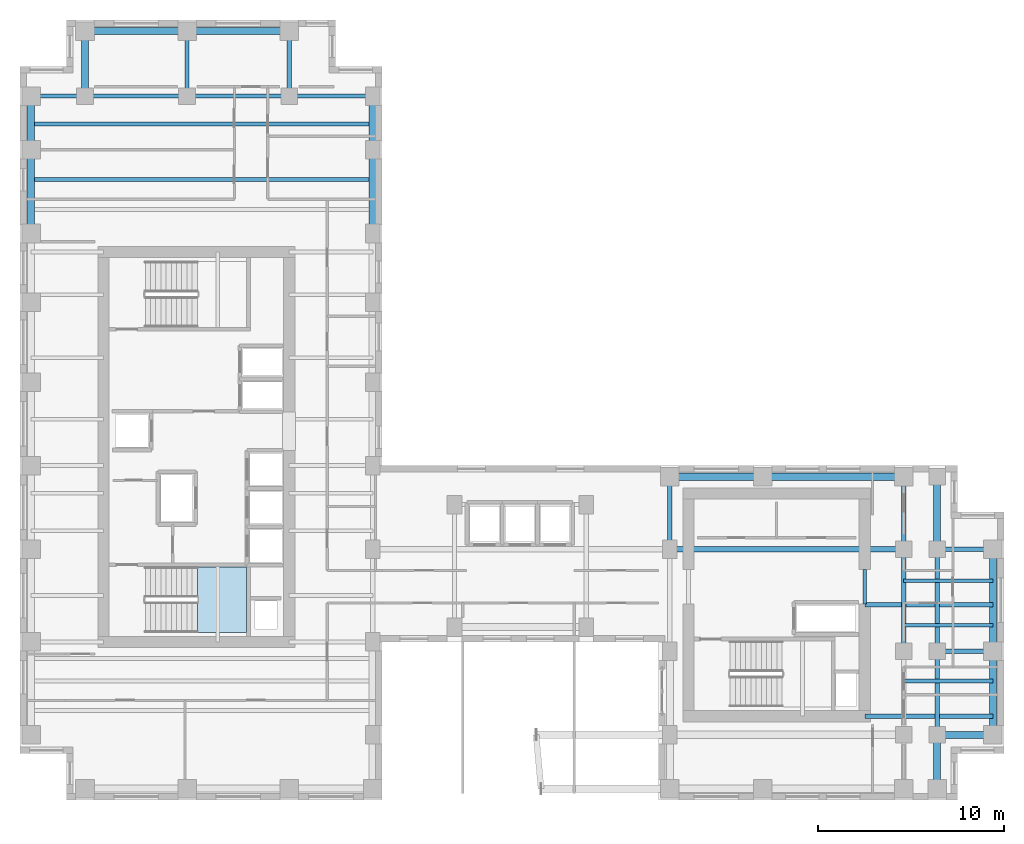
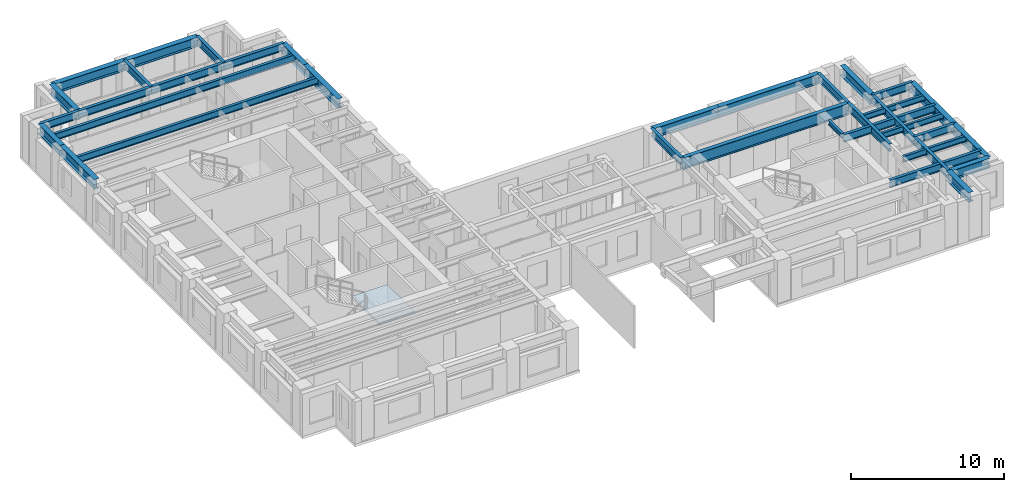
# One storey, part 3 of 13: 36 beams, 1 slab, 1 element without a shape of its own.
"""IFC4 building model written with IfcOpenShell, lengths in metres."""

from ifc_helpers import new_model, si_unit, direction, frame, origin, origin_2d, place, context, subcontext, project, spatial, polyline, i_section, outline, extrude, source, transform, mapped, material, layer, layer_set, material_profile, profile_set, type_object, element, aggregate, save


model = new_model("IFC4")

# Units and contexts
model_context = context("Model", 3, precision=1e-05, world=origin(), true_north=direction((0.0, 1.0)))
body_context = subcontext(model_context, "Body", "Model", "MODEL_VIEW")
ifc_project = project(units=[si_unit("LENGTHUNIT", "METRE"), si_unit("AREAUNIT", "SQUARE_METRE"), si_unit("VOLUMEUNIT", "CUBIC_METRE"), si_unit("PLANEANGLEUNIT", "RADIAN"), si_unit("MASSUNIT", "GRAM", prefix="KILO")], contexts=[model_context])

# Site, building, storey
site_placement = place(None, origin())
site = spatial("IfcSite", under=ifc_project, at=site_placement, CompositionType="ELEMENT")
building_placement = place(site_placement, origin())
building = spatial("IfcBuilding", under=site, at=building_placement, Name="Kharzan Plaza Tower", CompositionType="ELEMENT")
storey_placement = place(building_placement, frame((0.0, 0.0, 161.10009765625)))
storey = spatial("IfcBuildingStorey", under=building, at=storey_placement, Name="L43", CompositionType="ELEMENT", Elevation=161.10009765625)

# Beams
ifc_material_1 = material(Name="Steel S355", Category="steel")
ifc_material_profile_1 = material_profile(ifc_material_1, i_section(OverallWidth=0.205078125, OverallDepth=0.35400390625, WebThickness=0.009521484375, FlangeThickness=0.016845703125, at=origin_2d()), Name="W360x79")
ifc_profile_set_1 = profile_set([ifc_material_profile_1], Name="Steel S355")
beam_type_1 = type_object("IfcBeamType", Name="BM-LNT360", PredefinedType="LINTEL", material=ifc_profile_set_1)
shared_shape_1 = source(origin(), body_context, "Body", "SweptSolid", [
    extrude(i_section(OverallWidth=0.205078125, OverallDepth=0.35400390625, WebThickness=0.009521484375, FlangeThickness=0.016845703125, at=origin_2d()), origin(), (0.0, 0.0, 1.0), 1.849853515625),
])
beam_1_placement = place(storey_placement, frame((45.5, 10.550048828125, 3.222900390625), z_axis=(0.0, 1.0, 0.0), x_axis=(-1.0, 0.0, 0.0)))
element("IfcBeam", 1, at=beam_1_placement, inside=storey, type_object=beam_type_1, Name="L43 CORE-B coupling lintel LN1-WE", PredefinedType="LINTEL", context=body_context, shape_type="MappedRepresentation", body=[
    mapped(shared_shape_1, transform((0.0, 0.0, 0.0), x_axis=(1.0, 0.0, 0.0), y_axis=(0.0, 1.0, 0.0), z_axis=(0.0, 0.0, 1.0))),
])
ifc_material_profile_2 = material_profile(ifc_material_1, i_section(OverallWidth=0.304931640625, OverallDepth=0.9189453125, WebThickness=0.017333984375, FlangeThickness=0.02783203125, at=origin_2d()), Name="W920x253")
ifc_profile_set_2 = profile_set([ifc_material_profile_2], Name="Steel S355")
beam_type_2 = type_object("IfcBeamType", Name="BM-FG920B", PredefinedType="BEAM", material=ifc_profile_set_2)
shared_shape_2 = source(origin(), body_context, "Body", "SweptSolid", [
    extrude(i_section(OverallWidth=0.304931640625, OverallDepth=0.9189453125, WebThickness=0.017333984375, FlangeThickness=0.02783203125, at=origin_2d()), origin(), (0.0, 0.0, 1.0), 12.60009765625),
])
beam_2_placement = place(storey_placement, frame((35.0, 13.5, 2.9404296875), z_axis=(1.0, 0.0, 0.0), x_axis=(0.0, 1.0, 0.0)))
element("IfcBeam", 2, at=beam_2_placement, inside=storey, type_object=beam_type_2, Name="L43 Primary Floor Girder", PredefinedType="BEAM", context=body_context, shape_type="MappedRepresentation", body=[
    mapped(shared_shape_2, transform((0.0, 0.0, 0.0), x_axis=(1.0, 0.0, 0.0), y_axis=(0.0, 1.0, 0.0), z_axis=(0.0, 0.0, 1.0))),
])
ifc_material_profile_3 = material_profile(ifc_material_1, i_section(OverallWidth=0.2099609375, OverallDepth=0.537109375, WebThickness=0.010986328125, FlangeThickness=0.017333984375, at=origin_2d()), Name="W530x101")
ifc_profile_set_3 = profile_set([ifc_material_profile_3], Name="Steel S355")
beam_type_3 = type_object("IfcBeamType", Name="BM-JST530B", PredefinedType="JOIST", material=ifc_profile_set_3)
shared_shape_3 = source(origin(), body_context, "Body", "SweptSolid", [
    extrude(i_section(OverallWidth=0.2099609375, OverallDepth=0.537109375, WebThickness=0.010986328125, FlangeThickness=0.017333984375, at=origin_2d()), origin(), (0.0, 0.0, 1.0), 18.39990234375),
])
for number, where, z_axis, x_axis, name in (
    (3, (0.60009765625, 33.39990234375, 3.13134765625), (1.0, 0.0, 0.0), (0.0, 1.0, 0.0), "L43 Wing A Composite Joist 05"),
    (4, (0.60009765625, 36.39990234375, 3.13134765625), (1.0, 0.0, 0.0), (0.0, 1.0, 0.0), "L43 Wing A Composite Joist 06"),
):
    element("IfcBeam", number, at=place(storey_placement, frame(where, z_axis=z_axis, x_axis=x_axis)), inside=storey, type_object=beam_type_3, Name=name, PredefinedType="JOIST", context=body_context, shape_type="MappedRepresentation", body=[
        mapped(shared_shape_3, transform((0.0, 0.0, 0.0), x_axis=(1.0, 0.0, 0.0), y_axis=(0.0, 1.0, 0.0), z_axis=(0.0, 0.0, 1.0))),
    ])
ifc_material_profile_4 = material_profile(ifc_material_1, i_section(OverallWidth=0.22900390625, OverallDepth=0.612060546875, WebThickness=0.011962890625, FlangeThickness=0.01953125, at=origin_2d()), Name="W610x125")
ifc_profile_set_4 = profile_set([ifc_material_profile_4], Name="Steel S355")
beam_type_4 = type_object("IfcBeamType", Name="BM-FG610B", PredefinedType="BEAM", material=ifc_profile_set_4)
shared_shape_4 = source(origin(), body_context, "Body", "SweptSolid", [
    extrude(i_section(OverallWidth=0.22900390625, OverallDepth=0.612060546875, WebThickness=0.011962890625, FlangeThickness=0.01953125, at=origin_2d()), origin(), (0.0, 0.0, 1.0), 4.5),
])
for number, where, z_axis, x_axis, name in (
    (5, (49.39990234375, 3.5, 3.093994140625), (0.0, 1.0, 0.0), (-1.0, 0.0, 0.0), "L43 Interior Frame Girder"),
    (6, (14.5, 37.89990234375, 3.093994140625), (1.0, 0.0, 0.0), (0.0, 1.0, 0.0), "L43 Primary Floor Girder"),
):
    element("IfcBeam", number, at=place(storey_placement, frame(where, z_axis=z_axis, x_axis=x_axis)), inside=storey, type_object=beam_type_4, Name=name, PredefinedType="BEAM", context=body_context, shape_type="MappedRepresentation", body=[
        mapped(shared_shape_4, transform((0.0, 0.0, 0.0), x_axis=(1.0, 0.0, 0.0), y_axis=(0.0, 1.0, 0.0), z_axis=(0.0, 0.0, 1.0))),
    ])
shared_shape_5 = source(origin(), body_context, "Body", "SweptSolid", [
    extrude(i_section(OverallWidth=0.22900390625, OverallDepth=0.612060546875, WebThickness=0.011962890625, FlangeThickness=0.01953125, at=origin_2d()), origin(), (0.0, 0.0, 1.0), 3.89990234375),
])
for number, where, z_axis, x_axis, name in (
    (7, (35.0, 13.5, 3.093994140625), (0.0, 1.0, 0.0), (-1.0, 0.0, 0.0), "L43 Interior Frame Girder"),
    (8, (47.60009765625, 13.5, 3.093994140625), (0.0, 1.0, 0.0), (-1.0, 0.0, 0.0), "L43 Interior Frame Girder"),
):
    element("IfcBeam", number, at=place(storey_placement, frame(where, z_axis=z_axis, x_axis=x_axis)), inside=storey, type_object=beam_type_4, Name=name, PredefinedType="BEAM", context=body_context, shape_type="MappedRepresentation", body=[
        mapped(shared_shape_5, transform((0.0, 0.0, 0.0), x_axis=(1.0, 0.0, 0.0), y_axis=(0.0, 1.0, 0.0), z_axis=(0.0, 0.0, 1.0))),
    ])
shared_shape_6 = source(origin(), body_context, "Body", "SweptSolid", [
    extrude(i_section(OverallWidth=0.22900390625, OverallDepth=0.612060546875, WebThickness=0.011962890625, FlangeThickness=0.01953125, at=origin_2d()), origin(), (0.0, 0.0, 1.0), 6.89990234375),
])
for number, where, z_axis, x_axis, name in (
    (9, (45.5, 4.5, 3.093994140625), (1.0, 0.0, 0.0), (0.0, 1.0, 0.0), "L43 Core-B East Floor Girder 1"),
    (10, (45.5, 10.5, 3.093994140625), (1.0, 0.0, 0.0), (0.0, 1.0, 0.0), "L43 Core-B East Floor Girder 2"),
):
    element("IfcBeam", number, at=place(storey_placement, frame(where, z_axis=z_axis, x_axis=x_axis)), inside=storey, type_object=beam_type_4, Name=name, PredefinedType="BEAM", context=body_context, shape_type="MappedRepresentation", body=[
        mapped(shared_shape_6, transform((0.0, 0.0, 0.0), x_axis=(1.0, 0.0, 0.0), y_axis=(0.0, 1.0, 0.0), z_axis=(0.0, 0.0, 1.0))),
    ])
shared_shape_7 = source(origin(), body_context, "Body", "SweptSolid", [
    extrude(i_section(OverallWidth=0.22900390625, OverallDepth=0.612060546875, WebThickness=0.011962890625, FlangeThickness=0.01953125, at=origin_2d()), origin(), (0.0, 0.0, 1.0), 3.5),
])
for number, where, z_axis, x_axis, name in (
    (11, (9.0, 37.89990234375, 3.093994140625), (0.0, 1.0, 0.0), (-1.0, 0.0, 0.0), "L43 Interior Frame Girder"),
    (12, (14.5, 37.89990234375, 3.093994140625), (0.0, 1.0, 0.0), (-1.0, 0.0, 0.0), "L43 Interior Frame Girder"),
):
    element("IfcBeam", number, at=place(storey_placement, frame(where, z_axis=z_axis, x_axis=x_axis)), inside=storey, type_object=beam_type_4, Name=name, PredefinedType="BEAM", context=body_context, shape_type="MappedRepresentation", body=[
        mapped(shared_shape_7, transform((0.0, 0.0, 0.0), x_axis=(1.0, 0.0, 0.0), y_axis=(0.0, 1.0, 0.0), z_axis=(0.0, 0.0, 1.0))),
    ])
shared_shape_8 = source(origin(), body_context, "Body", "SweptSolid", [
    extrude(i_section(OverallWidth=0.22900390625, OverallDepth=0.612060546875, WebThickness=0.011962890625, FlangeThickness=0.01953125, at=origin_2d()), origin(), (0.0, 0.0, 1.0), 5.5),
])
for number, where, z_axis, x_axis, name in (
    (13, (47.60009765625, 8.0, 3.093994140625), (0.0, 1.0, 0.0), (-1.0, 0.0, 0.0), "L43 Interior Frame Girder"),
    (14, (49.39990234375, 8.0, 3.093994140625), (0.0, 1.0, 0.0), (-1.0, 0.0, 0.0), "L43 Interior Frame Girder"),
    (15, (3.5, 37.89990234375, 3.093994140625), (1.0, 0.0, 0.0), (0.0, 1.0, 0.0), "L43 Primary Floor Girder"),
    (16, (9.0, 37.89990234375, 3.093994140625), (1.0, 0.0, 0.0), (0.0, 1.0, 0.0), "L43 Primary Floor Girder"),
):
    element("IfcBeam", number, at=place(storey_placement, frame(where, z_axis=z_axis, x_axis=x_axis)), inside=storey, type_object=beam_type_4, Name=name, PredefinedType="BEAM", context=body_context, shape_type="MappedRepresentation", body=[
        mapped(shared_shape_8, transform((0.0, 0.0, 0.0), x_axis=(1.0, 0.0, 0.0), y_axis=(0.0, 1.0, 0.0), z_axis=(0.0, 0.0, 1.0))),
    ])
shared_shape_9 = source(origin(), body_context, "Body", "SweptSolid", [
    extrude(i_section(OverallWidth=0.22900390625, OverallDepth=0.612060546875, WebThickness=0.011962890625, FlangeThickness=0.01953125, at=origin_2d()), origin(), (0.0, 0.0, 1.0), 2.89990234375),
])
beam_3_placement = place(storey_placement, frame((0.60009765625, 37.89990234375, 3.093994140625), z_axis=(1.0, 0.0, 0.0), x_axis=(0.0, 1.0, 0.0)))
element("IfcBeam", 17, at=beam_3_placement, inside=storey, type_object=beam_type_4, Name="L43 Primary Floor Girder", PredefinedType="BEAM", context=body_context, shape_type="MappedRepresentation", body=[
    mapped(shared_shape_9, transform((0.0, 0.0, 0.0), x_axis=(1.0, 0.0, 0.0), y_axis=(0.0, 1.0, 0.0), z_axis=(0.0, 0.0, 1.0))),
])
shared_shape_10 = source(origin(), body_context, "Body", "SweptSolid", [
    extrude(i_section(OverallWidth=0.22900390625, OverallDepth=0.612060546875, WebThickness=0.011962890625, FlangeThickness=0.01953125, at=origin_2d()), origin(), (0.0, 0.0, 1.0), 3.0),
])
for number, where, z_axis, x_axis, name in (
    (18, (49.39990234375, 8.0, 3.093994140625), (1.0, 0.0, 0.0), (0.0, 1.0, 0.0), "L43 Primary Floor Girder"),
    (19, (49.39990234375, 13.5, 3.093994140625), (1.0, 0.0, 0.0), (0.0, 1.0, 0.0), "L43 Primary Floor Girder"),
):
    element("IfcBeam", number, at=place(storey_placement, frame(where, z_axis=z_axis, x_axis=x_axis)), inside=storey, type_object=beam_type_4, Name=name, PredefinedType="BEAM", context=body_context, shape_type="MappedRepresentation", body=[
        mapped(shared_shape_10, transform((0.0, 0.0, 0.0), x_axis=(1.0, 0.0, 0.0), y_axis=(0.0, 1.0, 0.0), z_axis=(0.0, 0.0, 1.0))),
    ])
ifc_material_profile_5 = material_profile(ifc_material_1, i_section(OverallWidth=0.194091796875, OverallDepth=0.468994140625, WebThickness=0.011474609375, FlangeThickness=0.0205078125, at=origin_2d()), Name="W460x106")
ifc_profile_set_5 = profile_set([ifc_material_profile_5], Name="Steel S355")
beam_type_5 = type_object("IfcBeamType", Name="BM-JST460", PredefinedType="JOIST", material=ifc_profile_set_5)
shared_shape_11 = source(origin(), body_context, "Body", "SweptSolid", [
    extrude(i_section(OverallWidth=0.194091796875, OverallDepth=0.468994140625, WebThickness=0.011474609375, FlangeThickness=0.0205078125, at=origin_2d()), origin(), (0.0, 0.0, 1.0), 4.7998046875),
])
for number, where, z_axis, x_axis, name in (
    (20, (47.60009765625, 6.39990234375, 3.165283203125), (1.0, 0.0, 0.0), (0.0, 1.0, 0.0), "L43 Wing B Composite Joist 02"),
    (21, (47.60009765625, 9.39990234375, 3.165283203125), (1.0, 0.0, 0.0), (0.0, 1.0, 0.0), "L43 Wing B Composite Joist 03"),
    (22, (47.60009765625, 11.800048828125, 3.165283203125), (1.0, 0.0, 0.0), (0.0, 1.0, 0.0), "L43 Wing B Composite Joist 04"),
):
    element("IfcBeam", number, at=place(storey_placement, frame(where, z_axis=z_axis, x_axis=x_axis)), inside=storey, type_object=beam_type_5, Name=name, PredefinedType="JOIST", context=body_context, shape_type="MappedRepresentation", body=[
        mapped(shared_shape_11, transform((0.0, 0.0, 0.0), x_axis=(1.0, 0.0, 0.0), y_axis=(0.0, 1.0, 0.0), z_axis=(0.0, 0.0, 1.0))),
    ])
ifc_material_profile_6 = material_profile(ifc_material_1, i_section(OverallWidth=0.381103515625, OverallDepth=0.77294921875, WebThickness=0.0166015625, FlangeThickness=0.027587890625, at=origin_2d()), Name="W760x257")
ifc_profile_set_6 = profile_set([ifc_material_profile_6], Name="Steel S355")
beam_type_6 = type_object("IfcBeamType", Name="BM-SP760A", PredefinedType="SPANDREL", material=ifc_profile_set_6)
shared_shape_12 = source(origin(), body_context, "Body", "SweptSolid", [
    extrude(i_section(OverallWidth=0.381103515625, OverallDepth=0.77294921875, WebThickness=0.0166015625, FlangeThickness=0.027587890625, at=origin_2d()), origin(), (0.0, 0.0, 1.0), 5.0),
])
beam_4_placement = place(storey_placement, frame((35.0, 17.39990234375, 3.013427734375), z_axis=(1.0, 0.0, 0.0), x_axis=(0.0, 1.0, 0.0)))
element("IfcBeam", 23, at=beam_4_placement, inside=storey, type_object=beam_type_6, Name="L43 Perimeter Tube Spandrel", PredefinedType="SPANDREL", context=body_context, shape_type="MappedRepresentation", body=[
    mapped(shared_shape_12, transform((0.0, 0.0, 0.0), x_axis=(1.0, 0.0, 0.0), y_axis=(0.0, 1.0, 0.0), z_axis=(0.0, 0.0, 1.0))),
])
shared_shape_13 = source(origin(), body_context, "Body", "SweptSolid", [
    extrude(i_section(OverallWidth=0.381103515625, OverallDepth=0.77294921875, WebThickness=0.0166015625, FlangeThickness=0.027587890625, at=origin_2d()), origin(), (0.0, 0.0, 1.0), 4.5),
])
for number, where, z_axis, x_axis, name in (
    (24, (0.60009765625, 30.5, 3.013427734375), (0.0, 1.0, 0.0), (-1.0, 0.0, 0.0), "L43 Perimeter Tube Spandrel"),
    (25, (19.0, 30.5, 3.013427734375), (0.0, 1.0, 0.0), (-1.0, 0.0, 0.0), "L43 Perimeter Tube Spandrel"),
    (26, (52.39990234375, 3.5, 3.013427734375), (0.0, 1.0, 0.0), (-1.0, 0.0, 0.0), "L43 Perimeter Tube Spandrel"),
):
    element("IfcBeam", number, at=place(storey_placement, frame(where, z_axis=z_axis, x_axis=x_axis)), inside=storey, type_object=beam_type_6, Name=name, PredefinedType="SPANDREL", context=body_context, shape_type="MappedRepresentation", body=[
        mapped(shared_shape_13, transform((0.0, 0.0, 0.0), x_axis=(1.0, 0.0, 0.0), y_axis=(0.0, 1.0, 0.0), z_axis=(0.0, 0.0, 1.0))),
    ])
shared_shape_14 = source(origin(), body_context, "Body", "SweptSolid", [
    extrude(i_section(OverallWidth=0.381103515625, OverallDepth=0.77294921875, WebThickness=0.0166015625, FlangeThickness=0.027587890625, at=origin_2d()), origin(), (0.0, 0.0, 1.0), 2.89990234375),
])
for number, where, z_axis, x_axis, name in (
    (27, (0.60009765625, 35.0, 3.013427734375), (0.0, 1.0, 0.0), (-1.0, 0.0, 0.0), "L43 Perimeter Tube Spandrel"),
    (28, (19.0, 35.0, 3.013427734375), (0.0, 1.0, 0.0), (-1.0, 0.0, 0.0), "L43 Perimeter Tube Spandrel"),
    (29, (49.39990234375, 0.60009765625, 3.013427734375), (0.0, 1.0, 0.0), (-1.0, 0.0, 0.0), "L43 Perimeter Tube Spandrel"),
):
    element("IfcBeam", number, at=place(storey_placement, frame(where, z_axis=z_axis, x_axis=x_axis)), inside=storey, type_object=beam_type_6, Name=name, PredefinedType="SPANDREL", context=body_context, shape_type="MappedRepresentation", body=[
        mapped(shared_shape_14, transform((0.0, 0.0, 0.0), x_axis=(1.0, 0.0, 0.0), y_axis=(0.0, 1.0, 0.0), z_axis=(0.0, 0.0, 1.0))),
    ])
shared_shape_15 = source(origin(), body_context, "Body", "SweptSolid", [
    extrude(i_section(OverallWidth=0.381103515625, OverallDepth=0.77294921875, WebThickness=0.0166015625, FlangeThickness=0.027587890625, at=origin_2d()), origin(), (0.0, 0.0, 1.0), 3.5),
])
beam_5_placement = place(storey_placement, frame((3.5, 37.89990234375, 3.013427734375), z_axis=(0.0, 1.0, 0.0), x_axis=(-1.0, 0.0, 0.0)))
element("IfcBeam", 30, at=beam_5_placement, inside=storey, type_object=beam_type_6, Name="L43 Perimeter Tube Spandrel", PredefinedType="SPANDREL", context=body_context, shape_type="MappedRepresentation", body=[
    mapped(shared_shape_15, transform((0.0, 0.0, 0.0), x_axis=(1.0, 0.0, 0.0), y_axis=(0.0, 1.0, 0.0), z_axis=(0.0, 0.0, 1.0))),
])
shared_shape_16 = source(origin(), body_context, "Body", "SweptSolid", [
    extrude(i_section(OverallWidth=0.381103515625, OverallDepth=0.77294921875, WebThickness=0.0166015625, FlangeThickness=0.027587890625, at=origin_2d()), origin(), (0.0, 0.0, 1.0), 3.89990234375),
])
beam_6_placement = place(storey_placement, frame((49.39990234375, 13.5, 3.013427734375), z_axis=(0.0, 1.0, 0.0), x_axis=(-1.0, 0.0, 0.0)))
element("IfcBeam", 31, at=beam_6_placement, inside=storey, type_object=beam_type_6, Name="L43 Perimeter Tube Spandrel", PredefinedType="SPANDREL", context=body_context, shape_type="MappedRepresentation", body=[
    mapped(shared_shape_16, transform((0.0, 0.0, 0.0), x_axis=(1.0, 0.0, 0.0), y_axis=(0.0, 1.0, 0.0), z_axis=(0.0, 0.0, 1.0))),
])
shared_shape_17 = source(origin(), body_context, "Body", "SweptSolid", [
    extrude(i_section(OverallWidth=0.381103515625, OverallDepth=0.77294921875, WebThickness=0.0166015625, FlangeThickness=0.027587890625, at=origin_2d()), origin(), (0.0, 0.0, 1.0), 5.5),
])
for number, where, z_axis, x_axis, name in (
    (32, (52.39990234375, 8.0, 3.013427734375), (0.0, 1.0, 0.0), (-1.0, 0.0, 0.0), "L43 Perimeter Tube Spandrel"),
    (33, (3.5, 41.39990234375, 3.013427734375), (1.0, 0.0, 0.0), (0.0, 1.0, 0.0), "L43 Perimeter Tube Spandrel"),
    (34, (9.0, 41.39990234375, 3.013427734375), (1.0, 0.0, 0.0), (0.0, 1.0, 0.0), "L43 Perimeter Tube Spandrel"),
):
    element("IfcBeam", number, at=place(storey_placement, frame(where, z_axis=z_axis, x_axis=x_axis)), inside=storey, type_object=beam_type_6, Name=name, PredefinedType="SPANDREL", context=body_context, shape_type="MappedRepresentation", body=[
        mapped(shared_shape_17, transform((0.0, 0.0, 0.0), x_axis=(1.0, 0.0, 0.0), y_axis=(0.0, 1.0, 0.0), z_axis=(0.0, 0.0, 1.0))),
    ])
shared_shape_18 = source(origin(), body_context, "Body", "SweptSolid", [
    extrude(i_section(OverallWidth=0.381103515625, OverallDepth=0.77294921875, WebThickness=0.0166015625, FlangeThickness=0.027587890625, at=origin_2d()), origin(), (0.0, 0.0, 1.0), 7.60009765625),
])
beam_7_placement = place(storey_placement, frame((40.0, 17.39990234375, 3.013427734375), z_axis=(1.0, 0.0, 0.0), x_axis=(0.0, 1.0, 0.0)))
element("IfcBeam", 35, at=beam_7_placement, inside=storey, type_object=beam_type_6, Name="L43 Perimeter Tube Spandrel", PredefinedType="SPANDREL", context=body_context, shape_type="MappedRepresentation", body=[
    mapped(shared_shape_18, transform((0.0, 0.0, 0.0), x_axis=(1.0, 0.0, 0.0), y_axis=(0.0, 1.0, 0.0), z_axis=(0.0, 0.0, 1.0))),
])
shared_shape_19 = source(origin(), body_context, "Body", "SweptSolid", [
    extrude(i_section(OverallWidth=0.381103515625, OverallDepth=0.77294921875, WebThickness=0.0166015625, FlangeThickness=0.027587890625, at=origin_2d()), origin(), (0.0, 0.0, 1.0), 3.0),
])
beam_8_placement = place(storey_placement, frame((49.39990234375, 3.5, 3.013427734375), z_axis=(1.0, 0.0, 0.0), x_axis=(0.0, 1.0, 0.0)))
element("IfcBeam", 36, at=beam_8_placement, inside=storey, type_object=beam_type_6, Name="L43 Perimeter Tube Spandrel", PredefinedType="SPANDREL", context=body_context, shape_type="MappedRepresentation", body=[
    mapped(shared_shape_19, transform((0.0, 0.0, 0.0), x_axis=(1.0, 0.0, 0.0), y_axis=(0.0, 1.0, 0.0), z_axis=(0.0, 0.0, 1.0))),
])

# Stair, slab
ifc_material_2 = material(Name="Concrete C40/50", Category="concrete")
stair_type = type_object("IfcStairType", Name="STR-ST-1", PredefinedType="HALF_TURN_STAIR", material=ifc_material_2)
stair_placement = place(storey_placement, origin())
stair = element("IfcStair", 37, at=stair_placement, inside=storey, type_object=stair_type, Name="L43 Protected Exit Stair ST-1", PredefinedType="HALF_TURN_STAIR")
ifc_layer = layer(ifc_material_2, 0.219970703125)
ifc_layer_set = layer_set([ifc_layer], Name="Concrete C40/50")
slab_type = type_object("IfcSlabType", Name="SL-LANDING-220", PredefinedType="LANDING", material=ifc_layer_set)
slab_placement = place(storey_placement, frame((0.0, 0.0, 1.599853515625)))
slab = element("IfcSlab", 38, at=slab_placement, type_object=slab_type, Name="ST-1 landing 1", PredefinedType="LANDING", context=body_context, shape_type="SweptSolid", body=[
    extrude(outline(polyline([(9.550048828125, 9.0), (12.199951171875, 9.0), (12.199951171875, 12.550048828125), (9.550048828125, 12.550048828125), (9.550048828125, 9.0)])), origin(), (0.0, 0.0, 1.0), 0.199951171875),
])
aggregate(stair, [slab])

save(model, "model.ifc")
